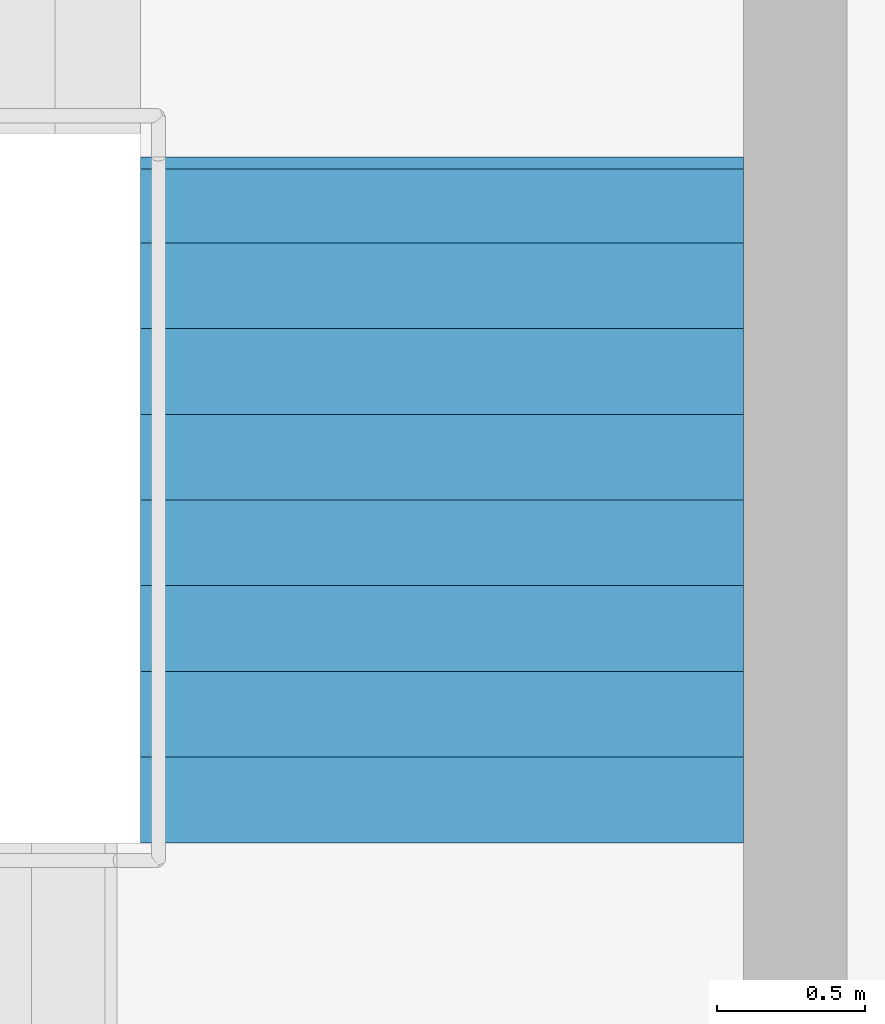
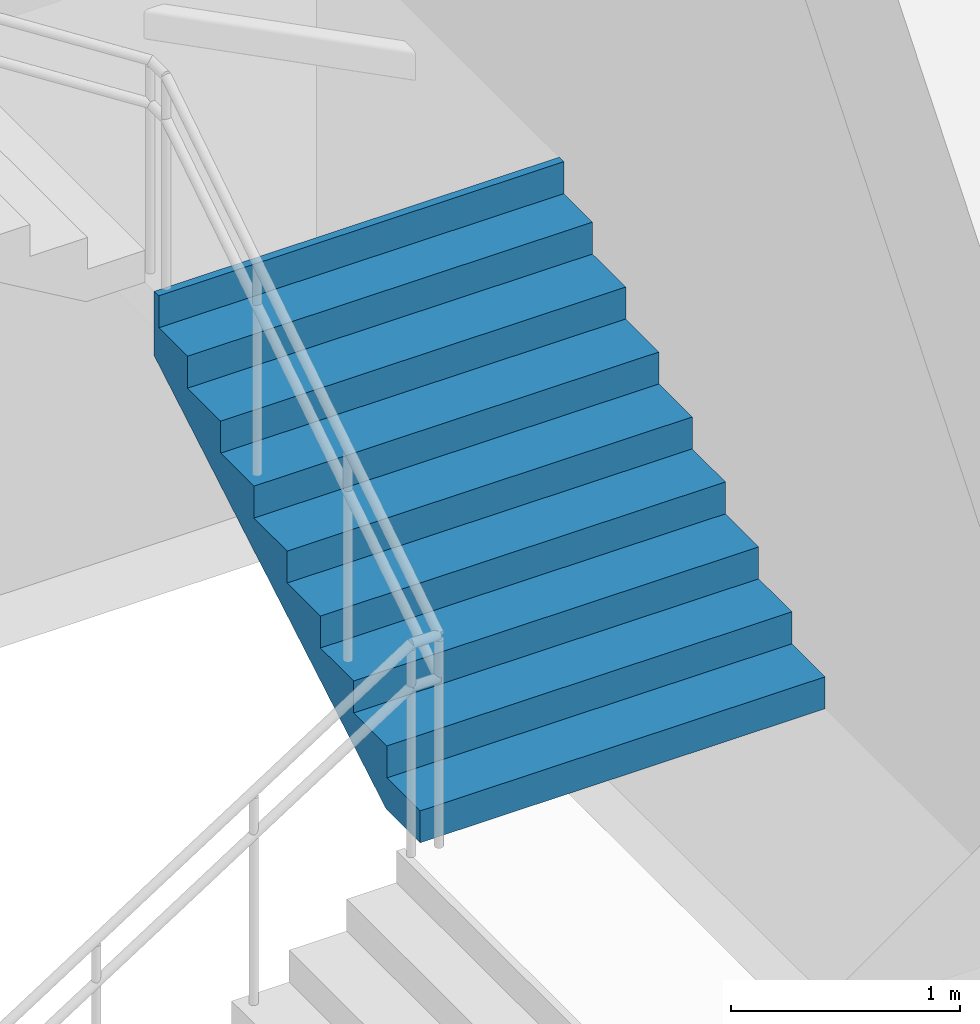
# One storey, part 33 of 46: 1 stair flight, 1 element without a shape of its own.
"""IFC4 building model written with IfcOpenShell, lengths in metres."""

import ifcopenshell
import ifcopenshell.guid

model = None  # the IFC model being written
_history = None  # IfcOwnerHistory: only IFC2X3 demands one
_inside = {}  # id of a spatial element -> (the spatial element, [elements in it])
_under = {}  # id of a project, library or spatial element -> (it, [spatial elements below it])
_declared = {}  # id of a project -> (the project, [libraries it declares])
_typed = {}  # id of a type object -> (the type object, [elements of that type])
_made_of = {}  # id of a material, layer set ... -> (it, [elements and type objects made of it])


def new_model(schema):
    """Start an empty IFC model of exactly this schema.

    Asked for "IFC4X3", IfcOpenShell would pick the latest addendum, in which some entities
    have other attributes; the version numbers below select the first issue.
    IFC2X3 requires an IfcOwnerHistory on every rooted entity: one is made here for all.
    """
    global model, _history
    if schema == "IFC4X3":
        model = ifcopenshell.file(schema_version=(4, 3, 0, 0))
    else:
        model = ifcopenshell.file(schema=schema)
    _inside.clear()
    _under.clear()
    _declared.clear()
    _typed.clear()
    _made_of.clear()
    _history = None
    if model.schema == "IFC2X3":
        org = make("IfcOrganization", Name="unknown")
        user = make(
            "IfcPersonAndOrganization",
            ThePerson=make("IfcPerson", FamilyName="unknown"),
            TheOrganization=org,
        )
        app = make(
            "IfcApplication",
            ApplicationDeveloper=org,
            Version="unknown",
            ApplicationFullName="unknown",
            ApplicationIdentifier="unknown",
        )
        _history = make(
            "IfcOwnerHistory",
            OwningUser=user,
            OwningApplication=app,
            ChangeAction="ADDED",
            CreationDate=0,
        )
    return model


def make(cls, **values):
    """One entity of the class cls with the attributes given. An attribute that is None is left unset."""
    return model.create_entity(
        cls, **{name: value for name, value in values.items() if value is not None}
    )


def rooted(cls, **values):
    """An entity with a GlobalId (a new one), such as an element, a storey or a relation."""
    return make(cls, GlobalId=ifcopenshell.guid.new(), OwnerHistory=_history, **values)


def si_unit(unit_type, name, prefix=None):
    """IfcSIUnit, for example si_unit("LENGTHUNIT", "METRE", prefix="MILLI")."""
    return make("IfcSIUnit", UnitType=unit_type, Prefix=prefix, Name=name)


def assignment(units):
    """IfcUnitAssignment: the units of a project."""
    return None if units is None else make("IfcUnitAssignment", Units=units)


def point(xyz):
    """IfcCartesianPoint."""
    return None if xyz is None else make("IfcCartesianPoint", Coordinates=xyz)


def direction(xyz):
    """IfcDirection."""
    return None if xyz is None else make("IfcDirection", DirectionRatios=xyz)


def frame(location, z_axis=None, x_axis=None):
    """IfcAxis2Placement3D, a coordinate frame: its origin and axes. An axis left out is left unset."""
    return make(
        "IfcAxis2Placement3D",
        Location=point(location),
        Axis=direction(z_axis),
        RefDirection=direction(x_axis),
    )


def origin():
    """The frame at (0, 0, 0) with its axes left unset."""
    return frame((0.0, 0.0, 0.0))


def place(relative_to, where):
    """IfcLocalPlacement: puts the frame where relative to a parent placement (None: the world)."""
    return make(
        "IfcLocalPlacement", PlacementRelTo=relative_to, RelativePlacement=where
    )


def context(
    kind, dimensions, precision=None, world=None, true_north=None, identifier=None
):
    """IfcGeometricRepresentationContext, for example the 3D "Model" context."""
    return make(
        "IfcGeometricRepresentationContext",
        ContextIdentifier=identifier,
        ContextType=kind,
        CoordinateSpaceDimension=dimensions,
        Precision=precision,
        WorldCoordinateSystem=world,
        TrueNorth=true_north,
    )


def subcontext(parent, identifier, kind, view, scale=None):
    """IfcGeometricRepresentationSubContext, for example "Body" below "Model"."""
    return make(
        "IfcGeometricRepresentationSubContext",
        ContextIdentifier=identifier,
        ContextType=kind,
        ParentContext=parent,
        TargetScale=scale,
        TargetView=view,
    )


def project(units=None, contexts=None):
    """IfcProject with its units and contexts."""
    return rooted(
        "IfcProject",
        Name="project",
        RepresentationContexts=contexts,
        UnitsInContext=assignment(units),
    )


def spatial(cls, under=None, at=None, **own):
    """A site, building, storey or space (cls), placed at a placement, below another one or the project."""
    s = rooted(cls, ObjectPlacement=at, **own)
    if under is not None:
        _under.setdefault(under.id(), (under, []))[1].append(s)
    return s


def point_list(points):
    """IfcCartesianPointList2D or 3D."""
    cls = (
        "IfcCartesianPointList2D" if len(points[0]) == 2 else "IfcCartesianPointList3D"
    )
    return make(cls, CoordList=points)


def triangles(points, corners, closed=None, point_numbers=None):
    """IfcTriangulatedFaceSet: each triangle names its three corners, points numbered from 1."""
    return make(
        "IfcTriangulatedFaceSet",
        Coordinates=point_list(points),
        Closed=closed,
        CoordIndex=corners,
        PnIndex=point_numbers,
    )


def shape(context_of_items, identifier, shape_type, items):
    """IfcShapeRepresentation: the items that make up one representation, for example the "Body"."""
    return make(
        "IfcShapeRepresentation",
        ContextOfItems=context_of_items,
        RepresentationIdentifier=identifier,
        RepresentationType=shape_type,
        Items=items,
    )


def material(Name=None, Category=None):
    """IfcMaterial."""
    return make("IfcMaterial", Name=Name, Category=Category)


def made_of(thing, what):
    """Note that an element or type object is made of a material, layer set ...; save() writes the relation."""
    if what is not None:
        _made_of.setdefault(what.id(), (what, []))[1].append(thing)
    return thing


def type_object(cls, material=None, **own):
    """A type object (cls), such as IfcWallType, which elements share."""
    return made_of(rooted(cls, **own), material)


def element(
    cls,
    number,
    at=None,
    inside=None,
    cuts=None,
    type_object=None,
    material=None,
    context=None,
    identifier="Body",
    shape_type=None,
    held_by="IfcProductDefinitionShape",
    body=None,
    shapes=None,
    **own,
):
    """One element of the class cls, such as IfcWall. Its Tag is "e" and its number.

    at: its placement. inside: the storey or other place that contains it. cuts: it is an
    opening in that element (IfcRelVoidsElement). A single representation is given by context,
    identifier, shape_type and body (its items); several are given by shapes. held_by: the class
    of the entity that holds the representations. save() writes the other relations.
    """
    e = rooted(cls, Tag="e%d" % number, ObjectPlacement=at, **own)
    if body is not None:
        shapes = [shape(context, identifier, shape_type, body)]
    if shapes is not None:
        e.Representation = make(held_by, Representations=shapes)
    if inside is not None:
        _inside.setdefault(inside.id(), (inside, []))[1].append(e)
    if cuts is not None:
        rooted(
            "IfcRelVoidsElement", RelatingBuildingElement=cuts, RelatedOpeningElement=e
        )
    if type_object is not None:
        _typed.setdefault(type_object.id(), (type_object, []))[1].append(e)
    return made_of(e, material)


def aggregate(whole, parts):
    """IfcRelAggregates: a whole, such as a stair, and the parts it consists of."""
    return rooted("IfcRelAggregates", RelatingObject=whole, RelatedObjects=parts)


def save(model, path):
    """Write the relations noted so far, then the file.

    IfcRelAggregates (storeys below a building ...), IfcRelContainedInSpatialStructure (elements
    in a storey), IfcRelDefinesByType, IfcRelAssociatesMaterial and IfcRelDeclares: one each for
    every whole, place, type object, material and project.
    """
    for whole, parts in _under.values():
        aggregate(whole, parts)
    for where, things in _inside.values():
        rooted(
            "IfcRelContainedInSpatialStructure",
            RelatedElements=things,
            RelatingStructure=where,
        )
    for kind, things in _typed.values():
        rooted("IfcRelDefinesByType", RelatedObjects=things, RelatingType=kind)
    for what, things in _made_of.values():
        rooted("IfcRelAssociatesMaterial", RelatedObjects=things, RelatingMaterial=what)
    for by, libraries in _declared.values():
        rooted("IfcRelDeclares", RelatingContext=by, RelatedDefinitions=libraries)
    model.write(path)


model = new_model("IFC4")

# Units and contexts
model_context = context("Model", 3, precision=1e-05, world=origin(), true_north=direction((0.0, 1.0)))
body_context = subcontext(model_context, "Body", "Model", "MODEL_VIEW")
ifc_project = project(units=[si_unit("LENGTHUNIT", "METRE"), si_unit("AREAUNIT", "SQUARE_METRE"), si_unit("VOLUMEUNIT", "CUBIC_METRE"), si_unit("PLANEANGLEUNIT", "RADIAN"), si_unit("MASSUNIT", "GRAM", prefix="KILO")], contexts=[model_context])

# Site, building, storey
site_placement = place(None, origin())
site = spatial("IfcSite", under=ifc_project, at=site_placement, CompositionType="ELEMENT")
building_placement = place(site_placement, origin())
building = spatial("IfcBuilding", under=site, at=building_placement, Name="Sillaruma Civic Art Gallery", CompositionType="ELEMENT")
storey_placement = place(building_placement, frame((0.0, 0.0, 16.320068359375)))
storey = spatial("IfcBuildingStorey", under=building, at=storey_placement, Name="L03", CompositionType="ELEMENT", Elevation=16.320068359375)

# Stair, stair flight
ifc_material = material(Name="Concrete H35 (35 MPa)", Category="concrete")
stair_type = type_object("IfcStairType", Name="STR-4F-36", PredefinedType="USERDEFINED", material=ifc_material)
stair_placement = place(storey_placement, origin())
stair = element("IfcStair", 1, at=stair_placement, inside=storey, type_object=stair_type, Name="Protected Exit Stair ST-03 (West Bar South) (L03)", ObjectType="THREE_RETURN_STAIR", PredefinedType="USERDEFINED")
stair_flight_type = type_object("IfcStairFlightType", Name="SFL-STR-9", PredefinedType="STRAIGHT", material=ifc_material)
stair_flight_placement = place(storey_placement, frame((68.219970703125, 33.449951171875, 1.530029296875), z_axis=(0.0, 0.0, 1.0), x_axis=(0.0, 1.0, 0.0)))
stair_flight = element("IfcStairFlight", 2, at=stair_flight_placement, type_object=stair_flight_type, Name="ST-03 flight 2", NumberOfRisers=9, NumberOfTreads=8, PredefinedType="STRAIGHT", RiserHeight=0.17, TreadLength=0.29, context=body_context, shape_type="Tessellation", body=[
    triangles([(0.0, -1.02001953125, 0.0), (0.29, -1.02001953125, 0.0), (0.296482, -1.02001953125, 0.0), (0.58, -1.02001953125, 0.1662), (0.87, -1.02001953125, 0.3362), (1.16, -1.02001953125, 0.5062), (1.45, -1.02001953125, 0.6762), (1.74, -1.02001953125, 0.8462), (2.03, -1.02001953125, 1.0162), (2.280068, -1.02001953125, 1.162792), (2.320068, -1.02001953125, 1.18624), (2.320068, -1.02001953125, 1.53), (2.280068, -1.02001953125, 1.53), (2.280068, -1.02001953125, 1.36), (2.03, -1.02001953125, 1.36), (2.03, -1.02001953125, 1.19), (1.74, -1.02001953125, 1.19), (1.74, -1.02001953125, 1.02), (1.45, -1.02001953125, 1.02), (1.45, -1.02001953125, 0.85), (1.16, -1.02001953125, 0.85), (1.16, -1.02001953125, 0.68), (0.87, -1.02001953125, 0.68), (0.87, -1.02001953125, 0.51), (0.58, -1.02001953125, 0.51), (0.58, -1.02001953125, 0.34), (0.296482, -1.02001953125, 0.34), (0.29, -1.02001953125, 0.34), (0.29, -1.02001953125, 0.17), (0.0, -1.02001953125, 0.17), (0.0, -0.05, 0.0), (0.29, -0.05, 0.0), (0.296482, -0.05, 0.0), (0.58, -0.05, 0.1662), (0.87, -0.05, 0.3362), (1.16, -0.05, 0.5062), (1.45, -0.05, 0.6762), (1.74, -0.05, 0.8462), (2.03, -0.05, 1.0162), (2.280068, -0.05, 1.162792), (2.320068, -0.05, 1.18624), (2.320068, -0.05, 1.53), (2.280068, -0.05, 1.53), (2.280068, -0.05, 1.36), (2.03, -0.05, 1.36), (2.03, -0.05, 1.19), (1.74, -0.05, 1.19), (1.74, -0.05, 1.02), (1.45, -0.05, 1.02), (1.45, -0.05, 0.85), (1.16, -0.05, 0.85), (1.16, -0.05, 0.68), (0.87, -0.05, 0.68), (0.87, -0.05, 0.51), (0.58, -0.05, 0.51), (0.58, -0.05, 0.34), (0.296482, -0.05, 0.34), (0.29, -0.05, 0.34), (0.29, -0.05, 0.17), (0.0, -0.05, 0.17), (0.0, -0.0375, 0.0), (0.29, -0.0375, 0.0), (0.296482, -0.0375, 0.0), (0.58, -0.0375, 0.1662), (0.87, -0.0375, 0.3362), (1.16, -0.0375, 0.5062), (1.45, -0.0375, 0.6762), (1.74, -0.0375, 0.8462), (2.03, -0.0375, 1.0162), (2.280068, -0.0375, 1.162792), (2.320068, -0.0375, 1.18624), (2.320068, -0.0375, 1.53), (2.280068, -0.0375, 1.53), (2.280068, -0.0375, 1.36), (2.03, -0.0375, 1.36), (2.03, -0.0375, 1.19), (1.74, -0.0375, 1.19), (1.74, -0.0375, 1.02), (1.45, -0.0375, 1.02), (1.45, -0.0375, 0.85), (1.16, -0.0375, 0.85), (1.16, -0.0375, 0.68), (0.87, -0.0375, 0.68), (0.87, -0.0375, 0.51), (0.58, -0.0375, 0.51), (0.58, -0.0375, 0.34), (0.296482, -0.0375, 0.34), (0.29, -0.0375, 0.34), (0.29, -0.0375, 0.17), (0.0, -0.0375, 0.17), (0.0, -0.025, 0.0), (0.29, -0.025, 0.0), (0.296482, -0.025, 0.0), (0.58, -0.025, 0.1662), (0.87, -0.025, 0.3362), (1.16, -0.025, 0.5062), (1.45, -0.025, 0.6762), (1.74, -0.025, 0.8462), (2.03, -0.025, 1.0162), (2.280068, -0.025, 1.162792), (2.320068, -0.025, 1.18624), (2.320068, -0.025, 1.53), (2.280068, -0.025, 1.53), (2.280068, -0.025, 1.36), (2.03, -0.025, 1.36), (2.03, -0.025, 1.19), (1.74, -0.025, 1.19), (1.74, -0.025, 1.02), (1.45, -0.025, 1.02), (1.45, -0.025, 0.85), (1.16, -0.025, 0.85), (1.16, -0.025, 0.68), (0.87, -0.025, 0.68), (0.87, -0.025, 0.51), (0.58, -0.025, 0.51), (0.58, -0.025, 0.34), (0.296482, -0.025, 0.34), (0.29, -0.025, 0.34), (0.29, -0.025, 0.17), (0.0, -0.025, 0.17), (0.0, -0.0125, 0.0), (0.29, -0.0125, 0.0), (0.296482, -0.0125, 0.0), (0.58, -0.0125, 0.1662), (0.87, -0.0125, 0.3362), (1.16, -0.0125, 0.5062), (1.45, -0.0125, 0.6762), (1.74, -0.0125, 0.8462), (2.03, -0.0125, 1.0162), (2.280068, -0.0125, 1.162792), (2.320068, -0.0125, 1.18624), (2.320068, -0.0125, 1.53), (2.280068, -0.0125, 1.53), (2.280068, -0.0125, 1.36), (2.03, -0.0125, 1.36), (2.03, -0.0125, 1.19), (1.74, -0.0125, 1.19), (1.74, -0.0125, 1.02), (1.45, -0.0125, 1.02), (1.45, -0.0125, 0.85), (1.16, -0.0125, 0.85), (1.16, -0.0125, 0.68), (0.87, -0.0125, 0.68), (0.87, -0.0125, 0.51), (0.58, -0.0125, 0.51), (0.58, -0.0125, 0.34), (0.296482, -0.0125, 0.34), (0.29, -0.0125, 0.34), (0.29, -0.0125, 0.17), (0.0, -0.0125, 0.17), (0.0, 0.0, 0.0), (0.29, 0.0, 0.0), (0.296482, 0.0, 0.0), (0.58, 0.0, 0.1662), (0.87, 0.0, 0.3362), (1.16, 0.0, 0.5062), (1.45, 0.0, 0.6762), (1.74, 0.0, 0.8462), (2.03, 0.0, 1.0162), (2.280068, 0.0, 1.162792), (2.320068, 0.0, 1.18624), (2.320068, 0.0, 1.53), (2.280068, 0.0, 1.53), (2.280068, 0.0, 1.36), (2.03, 0.0, 1.36), (2.03, 0.0, 1.19), (1.74, 0.0, 1.19), (1.74, 0.0, 1.02), (1.45, 0.0, 1.02), (1.45, 0.0, 0.85), (1.16, 0.0, 0.85), (1.16, 0.0, 0.68), (0.87, 0.0, 0.68), (0.87, 0.0, 0.51), (0.58, 0.0, 0.51), (0.58, 0.0, 0.34), (0.296482, 0.0, 0.34), (0.29, 0.0, 0.34), (0.29, 0.0, 0.17), (0.0, 0.0, 0.17), (0.0, 0.0125, 0.0), (0.29, 0.0125, 0.0), (0.296482, 0.0125, 0.0), (0.58, 0.0125, 0.1662), (0.87, 0.0125, 0.3362), (1.16, 0.0125, 0.5062), (1.45, 0.0125, 0.6762), (1.74, 0.0125, 0.8462), (2.03, 0.0125, 1.0162), (2.280068, 0.0125, 1.162792), (2.320068, 0.0125, 1.18624), (2.320068, 0.0125, 1.53), (2.280068, 0.0125, 1.53), (2.280068, 0.0125, 1.36), (2.03, 0.0125, 1.36), (2.03, 0.0125, 1.19), (1.74, 0.0125, 1.19), (1.74, 0.0125, 1.02), (1.45, 0.0125, 1.02), (1.45, 0.0125, 0.85), (1.16, 0.0125, 0.85), (1.16, 0.0125, 0.68), (0.87, 0.0125, 0.68), (0.87, 0.0125, 0.51), (0.58, 0.0125, 0.51), (0.58, 0.0125, 0.34), (0.296482, 0.0125, 0.34), (0.29, 0.0125, 0.34), (0.29, 0.0125, 0.17), (0.0, 0.0125, 0.17), (0.0, 0.025, 0.0), (0.29, 0.025, 0.0), (0.296482, 0.025, 0.0), (0.58, 0.025, 0.1662), (0.87, 0.025, 0.3362), (1.16, 0.025, 0.5062), (1.45, 0.025, 0.6762), (1.74, 0.025, 0.8462), (2.03, 0.025, 1.0162), (2.280068, 0.025, 1.162792), (2.320068, 0.025, 1.18624), (2.320068, 0.025, 1.53), (2.280068, 0.025, 1.53), (2.280068, 0.025, 1.36), (2.03, 0.025, 1.36), (2.03, 0.025, 1.19), (1.74, 0.025, 1.19), (1.74, 0.025, 1.02), (1.45, 0.025, 1.02), (1.45, 0.025, 0.85), (1.16, 0.025, 0.85), (1.16, 0.025, 0.68), (0.87, 0.025, 0.68), (0.87, 0.025, 0.51), (0.58, 0.025, 0.51), (0.58, 0.025, 0.34), (0.296482, 0.025, 0.34), (0.29, 0.025, 0.34), (0.29, 0.025, 0.17), (0.0, 0.025, 0.17), (0.0, 0.0375, 0.0), (0.29, 0.0375, 0.0), (0.296482, 0.0375, 0.0), (0.58, 0.0375, 0.1662), (0.87, 0.0375, 0.3362), (1.16, 0.0375, 0.5062), (1.45, 0.0375, 0.6762), (1.74, 0.0375, 0.8462), (2.03, 0.0375, 1.0162), (2.280068, 0.0375, 1.162792), (2.320068, 0.0375, 1.18624), (2.320068, 0.0375, 1.53), (2.280068, 0.0375, 1.53), (2.280068, 0.0375, 1.36), (2.03, 0.0375, 1.36), (2.03, 0.0375, 1.19), (1.74, 0.0375, 1.19), (1.74, 0.0375, 1.02), (1.45, 0.0375, 1.02), (1.45, 0.0375, 0.85), (1.16, 0.0375, 0.85), (1.16, 0.0375, 0.68), (0.87, 0.0375, 0.68), (0.87, 0.0375, 0.51), (0.58, 0.0375, 0.51), (0.58, 0.0375, 0.34), (0.296482, 0.0375, 0.34), (0.29, 0.0375, 0.34), (0.29, 0.0375, 0.17), (0.0, 0.0375, 0.17), (0.0, 0.05, 0.0), (0.29, 0.05, 0.0), (0.296482, 0.05, 0.0), (0.58, 0.05, 0.1662), (0.87, 0.05, 0.3362), (1.16, 0.05, 0.5062), (1.45, 0.05, 0.6762), (1.74, 0.05, 0.8462), (2.03, 0.05, 1.0162), (2.280068, 0.05, 1.162792), (2.320068, 0.05, 1.18624), (2.320068, 0.05, 1.53), (2.280068, 0.05, 1.53), (2.280068, 0.05, 1.36), (2.03, 0.05, 1.36), (2.03, 0.05, 1.19), (1.74, 0.05, 1.19), (1.74, 0.05, 1.02), (1.45, 0.05, 1.02), (1.45, 0.05, 0.85), (1.16, 0.05, 0.85), (1.16, 0.05, 0.68), (0.87, 0.05, 0.68), (0.87, 0.05, 0.51), (0.58, 0.05, 0.51), (0.58, 0.05, 0.34), (0.296482, 0.05, 0.34), (0.29, 0.05, 0.34), (0.29, 0.05, 0.17), (0.0, 0.05, 0.17), (0.0, 1.02001953125, 0.0), (0.29, 1.02001953125, 0.0), (0.296482, 1.02001953125, 0.0), (0.58, 1.02001953125, 0.1662), (0.87, 1.02001953125, 0.3362), (1.16, 1.02001953125, 0.5062), (1.45, 1.02001953125, 0.6762), (1.74, 1.02001953125, 0.8462), (2.03, 1.02001953125, 1.0162), (2.280068, 1.02001953125, 1.162792), (2.320068, 1.02001953125, 1.18624), (2.320068, 1.02001953125, 1.53), (2.280068, 1.02001953125, 1.53), (2.280068, 1.02001953125, 1.36), (2.03, 1.02001953125, 1.36), (2.03, 1.02001953125, 1.19), (1.74, 1.02001953125, 1.19), (1.74, 1.02001953125, 1.02), (1.45, 1.02001953125, 1.02), (1.45, 1.02001953125, 0.85), (1.16, 1.02001953125, 0.85), (1.16, 1.02001953125, 0.68), (0.87, 1.02001953125, 0.68), (0.87, 1.02001953125, 0.51), (0.58, 1.02001953125, 0.51), (0.58, 1.02001953125, 0.34), (0.296482, 1.02001953125, 0.34), (0.29, 1.02001953125, 0.34), (0.29, 1.02001953125, 0.17), (0.0, 1.02001953125, 0.17)], [[1, 2, 29], [1, 29, 30], [2, 3, 27], [2, 27, 29], [29, 27, 28], [3, 4, 26], [3, 26, 27], [4, 5, 24], [4, 24, 26], [26, 24, 25], [5, 6, 22], [5, 22, 24], [24, 22, 23], [6, 7, 20], [6, 20, 22], [22, 20, 21], [7, 8, 18], [7, 18, 20], [20, 18, 19], [8, 9, 16], [8, 16, 18], [18, 16, 17], [9, 10, 14], [9, 14, 16], [16, 14, 15], [10, 11, 12], [10, 12, 14], [14, 12, 13], [329, 302, 301], [330, 329, 301], [327, 303, 302], [329, 327, 302], [328, 327, 329], [326, 304, 303], [327, 326, 303], [324, 305, 304], [326, 324, 304], [325, 324, 326], [322, 306, 305], [324, 322, 305], [323, 322, 324], [320, 307, 306], [322, 320, 306], [321, 320, 322], [318, 308, 307], [320, 318, 307], [319, 318, 320], [316, 309, 308], [318, 316, 308], [317, 316, 318], [314, 310, 309], [316, 314, 309], [315, 314, 316], [312, 311, 310], [314, 312, 310], [313, 312, 314], [2, 1, 31], [2, 31, 32], [3, 2, 32], [3, 32, 33], [4, 3, 33], [4, 33, 34], [5, 4, 34], [5, 34, 35], [6, 5, 35], [6, 35, 36], [7, 6, 36], [7, 36, 37], [8, 7, 37], [8, 37, 38], [9, 8, 38], [9, 38, 39], [10, 9, 39], [10, 39, 40], [11, 10, 40], [11, 40, 41], [12, 11, 41], [12, 41, 42], [13, 12, 42], [13, 42, 43], [14, 13, 43], [14, 43, 44], [15, 14, 44], [15, 44, 45], [16, 15, 45], [16, 45, 46], [17, 16, 46], [17, 46, 47], [18, 17, 47], [18, 47, 48], [19, 18, 48], [19, 48, 49], [20, 19, 49], [20, 49, 50], [21, 20, 50], [21, 50, 51], [22, 21, 51], [22, 51, 52], [23, 22, 52], [23, 52, 53], [24, 23, 53], [24, 53, 54], [25, 24, 54], [25, 54, 55], [26, 25, 55], [26, 55, 56], [27, 26, 56], [27, 56, 57], [28, 27, 57], [28, 57, 58], [29, 28, 58], [29, 58, 59], [30, 29, 59], [30, 59, 60], [1, 30, 60], [1, 60, 31], [32, 31, 61], [32, 61, 62], [33, 32, 62], [33, 62, 63], [34, 33, 63], [34, 63, 64], [35, 34, 64], [35, 64, 65], [36, 35, 65], [36, 65, 66], [37, 36, 66], [37, 66, 67], [38, 37, 67], [38, 67, 68], [39, 38, 68], [39, 68, 69], [40, 39, 69], [40, 69, 70], [41, 40, 70], [41, 70, 71], [42, 41, 71], [42, 71, 72], [43, 42, 72], [43, 72, 73], [44, 43, 73], [44, 73, 74], [45, 44, 74], [45, 74, 75], [46, 45, 75], [46, 75, 76], [47, 46, 76], [47, 76, 77], [48, 47, 77], [48, 77, 78], [49, 48, 78], [49, 78, 79], [50, 49, 79], [50, 79, 80], [51, 50, 80], [51, 80, 81], [52, 51, 81], [52, 81, 82], [53, 52, 82], [53, 82, 83], [54, 53, 83], [54, 83, 84], [55, 54, 84], [55, 84, 85], [56, 55, 85], [56, 85, 86], [57, 56, 86], [57, 86, 87], [58, 57, 87], [58, 87, 88], [59, 58, 88], [59, 88, 89], [60, 59, 89], [60, 89, 90], [31, 60, 90], [31, 90, 61], [62, 61, 91], [62, 91, 92], [63, 62, 92], [63, 92, 93], [64, 63, 93], [64, 93, 94], [65, 64, 94], [65, 94, 95], [66, 65, 95], [66, 95, 96], [67, 66, 96], [67, 96, 97], [68, 67, 97], [68, 97, 98], [69, 68, 98], [69, 98, 99], [70, 69, 99], [70, 99, 100], [71, 70, 100], [71, 100, 101], [72, 71, 101], [72, 101, 102], [73, 72, 102], [73, 102, 103], [74, 73, 103], [74, 103, 104], [75, 74, 104], [75, 104, 105], [76, 75, 105], [76, 105, 106], [77, 76, 106], [77, 106, 107], [78, 77, 107], [78, 107, 108], [79, 78, 108], [79, 108, 109], [80, 79, 109], [80, 109, 110], [81, 80, 110], [81, 110, 111], [82, 81, 111], [82, 111, 112], [83, 82, 112], [83, 112, 113], [84, 83, 113], [84, 113, 114], [85, 84, 114], [85, 114, 115], [86, 85, 115], [86, 115, 116], [87, 86, 116], [87, 116, 117], [88, 87, 117], [88, 117, 118], [89, 88, 118], [89, 118, 119], [90, 89, 119], [90, 119, 120], [61, 90, 120], [61, 120, 91], [92, 91, 121], [92, 121, 122], [93, 92, 122], [93, 122, 123], [94, 93, 123], [94, 123, 124], [95, 94, 124], [95, 124, 125], [96, 95, 125], [96, 125, 126], [97, 96, 126], [97, 126, 127], [98, 97, 127], [98, 127, 128], [99, 98, 128], [99, 128, 129], [100, 99, 129], [100, 129, 130], [101, 100, 130], [101, 130, 131], [102, 101, 131], [102, 131, 132], [103, 102, 132], [103, 132, 133], [104, 103, 133], [104, 133, 134], [105, 104, 134], [105, 134, 135], [106, 105, 135], [106, 135, 136], [107, 106, 136], [107, 136, 137], [108, 107, 137], [108, 137, 138], [109, 108, 138], [109, 138, 139], [110, 109, 139], [110, 139, 140], [111, 110, 140], [111, 140, 141], [112, 111, 141], [112, 141, 142], [113, 112, 142], [113, 142, 143], [114, 113, 143], [114, 143, 144], [115, 114, 144], [115, 144, 145], [116, 115, 145], [116, 145, 146], [117, 116, 146], [117, 146, 147], [118, 117, 147], [118, 147, 148], [119, 118, 148], [119, 148, 149], [120, 119, 149], [120, 149, 150], [91, 120, 150], [91, 150, 121], [122, 121, 151], [122, 151, 152], [123, 122, 152], [123, 152, 153], [124, 123, 153], [124, 153, 154], [125, 124, 154], [125, 154, 155], [126, 125, 155], [126, 155, 156], [127, 126, 156], [127, 156, 157], [128, 127, 157], [128, 157, 158], [129, 128, 158], [129, 158, 159], [130, 129, 159], [130, 159, 160], [131, 130, 160], [131, 160, 161], [132, 131, 161], [132, 161, 162], [133, 132, 162], [133, 162, 163], [134, 133, 163], [134, 163, 164], [135, 134, 164], [135, 164, 165], [136, 135, 165], [136, 165, 166], [137, 136, 166], [137, 166, 167], [138, 137, 167], [138, 167, 168], [139, 138, 168], [139, 168, 169], [140, 139, 169], [140, 169, 170], [141, 140, 170], [141, 170, 171], [142, 141, 171], [142, 171, 172], [143, 142, 172], [143, 172, 173], [144, 143, 173], [144, 173, 174], [145, 144, 174], [145, 174, 175], [146, 145, 175], [146, 175, 176], [147, 146, 176], [147, 176, 177], [148, 147, 177], [148, 177, 178], [149, 148, 178], [149, 178, 179], [150, 149, 179], [150, 179, 180], [121, 150, 180], [121, 180, 151], [152, 151, 181], [152, 181, 182], [153, 152, 182], [153, 182, 183], [154, 153, 183], [154, 183, 184], [155, 154, 184], [155, 184, 185], [156, 155, 185], [156, 185, 186], [157, 156, 186], [157, 186, 187], [158, 157, 187], [158, 187, 188], [159, 158, 188], [159, 188, 189], [160, 159, 189], [160, 189, 190], [161, 160, 190], [161, 190, 191], [162, 161, 191], [162, 191, 192], [163, 162, 192], [163, 192, 193], [164, 163, 193], [164, 193, 194], [165, 164, 194], [165, 194, 195], [166, 165, 195], [166, 195, 196], [167, 166, 196], [167, 196, 197], [168, 167, 197], [168, 197, 198], [169, 168, 198], [169, 198, 199], [170, 169, 199], [170, 199, 200], [171, 170, 200], [171, 200, 201], [172, 171, 201], [172, 201, 202], [173, 172, 202], [173, 202, 203], [174, 173, 203], [174, 203, 204], [175, 174, 204], [175, 204, 205], [176, 175, 205], [176, 205, 206], [177, 176, 206], [177, 206, 207], [178, 177, 207], [178, 207, 208], [179, 178, 208], [179, 208, 209], [180, 179, 209], [180, 209, 210], [151, 180, 210], [151, 210, 181], [182, 181, 211], [182, 211, 212], [183, 182, 212], [183, 212, 213], [184, 183, 213], [184, 213, 214], [185, 184, 214], [185, 214, 215], [186, 185, 215], [186, 215, 216], [187, 186, 216], [187, 216, 217], [188, 187, 217], [188, 217, 218], [189, 188, 218], [189, 218, 219], [190, 189, 219], [190, 219, 220], [191, 190, 220], [191, 220, 221], [192, 191, 221], [192, 221, 222], [193, 192, 222], [193, 222, 223], [194, 193, 223], [194, 223, 224], [195, 194, 224], [195, 224, 225], [196, 195, 225], [196, 225, 226], [197, 196, 226], [197, 226, 227], [198, 197, 227], [198, 227, 228], [199, 198, 228], [199, 228, 229], [200, 199, 229], [200, 229, 230], [201, 200, 230], [201, 230, 231], [202, 201, 231], [202, 231, 232], [203, 202, 232], [203, 232, 233], [204, 203, 233], [204, 233, 234], [205, 204, 234], [205, 234, 235], [206, 205, 235], [206, 235, 236], [207, 206, 236], [207, 236, 237], [208, 207, 237], [208, 237, 238], [209, 208, 238], [209, 238, 239], [210, 209, 239], [210, 239, 240], [181, 210, 240], [181, 240, 211], [212, 211, 241], [212, 241, 242], [213, 212, 242], [213, 242, 243], [214, 213, 243], [214, 243, 244], [215, 214, 244], [215, 244, 245], [216, 215, 245], [216, 245, 246], [217, 216, 246], [217, 246, 247], [218, 217, 247], [218, 247, 248], [219, 218, 248], [219, 248, 249], [220, 219, 249], [220, 249, 250], [221, 220, 250], [221, 250, 251], [222, 221, 251], [222, 251, 252], [223, 222, 252], [223, 252, 253], [224, 223, 253], [224, 253, 254], [225, 224, 254], [225, 254, 255], [226, 225, 255], [226, 255, 256], [227, 226, 256], [227, 256, 257], [228, 227, 257], [228, 257, 258], [229, 228, 258], [229, 258, 259], [230, 229, 259], [230, 259, 260], [231, 230, 260], [231, 260, 261], [232, 231, 261], [232, 261, 262], [233, 232, 262], [233, 262, 263], [234, 233, 263], [234, 263, 264], [235, 234, 264], [235, 264, 265], [236, 235, 265], [236, 265, 266], [237, 236, 266], [237, 266, 267], [238, 237, 267], [238, 267, 268], [239, 238, 268], [239, 268, 269], [240, 239, 269], [240, 269, 270], [211, 240, 270], [211, 270, 241], [242, 241, 271], [242, 271, 272], [243, 242, 272], [243, 272, 273], [244, 243, 273], [244, 273, 274], [245, 244, 274], [245, 274, 275], [246, 245, 275], [246, 275, 276], [247, 246, 276], [247, 276, 277], [248, 247, 277], [248, 277, 278], [249, 248, 278], [249, 278, 279], [250, 249, 279], [250, 279, 280], [251, 250, 280], [251, 280, 281], [252, 251, 281], [252, 281, 282], [253, 252, 282], [253, 282, 283], [254, 253, 283], [254, 283, 284], [255, 254, 284], [255, 284, 285], [256, 255, 285], [256, 285, 286], [257, 256, 286], [257, 286, 287], [258, 257, 287], [258, 287, 288], [259, 258, 288], [259, 288, 289], [260, 259, 289], [260, 289, 290], [261, 260, 290], [261, 290, 291], [262, 261, 291], [262, 291, 292], [263, 262, 292], [263, 292, 293], [264, 263, 293], [264, 293, 294], [265, 264, 294], [265, 294, 295], [266, 265, 295], [266, 295, 296], [267, 266, 296], [267, 296, 297], [268, 267, 297], [268, 297, 298], [269, 268, 298], [269, 298, 299], [270, 269, 299], [270, 299, 300], [241, 270, 300], [241, 300, 271], [272, 271, 301], [272, 301, 302], [273, 272, 302], [273, 302, 303], [274, 273, 303], [274, 303, 304], [275, 274, 304], [275, 304, 305], [276, 275, 305], [276, 305, 306], [277, 276, 306], [277, 306, 307], [278, 277, 307], [278, 307, 308], [279, 278, 308], [279, 308, 309], [280, 279, 309], [280, 309, 310], [281, 280, 310], [281, 310, 311], [282, 281, 311], [282, 311, 312], [283, 282, 312], [283, 312, 313], [284, 283, 313], [284, 313, 314], [285, 284, 314], [285, 314, 315], [286, 285, 315], [286, 315, 316], [287, 286, 316], [287, 316, 317], [288, 287, 317], [288, 317, 318], [289, 288, 318], [289, 318, 319], [290, 289, 319], [290, 319, 320], [291, 290, 320], [291, 320, 321], [292, 291, 321], [292, 321, 322], [293, 292, 322], [293, 322, 323], [294, 293, 323], [294, 323, 324], [295, 294, 324], [295, 324, 325], [296, 295, 325], [296, 325, 326], [297, 296, 326], [297, 326, 327], [298, 297, 327], [298, 327, 328], [299, 298, 328], [299, 328, 329], [300, 299, 329], [300, 329, 330], [271, 300, 330], [271, 330, 301]], closed=True),
])
aggregate(stair, [stair_flight])

save(model, "model.ifc")
